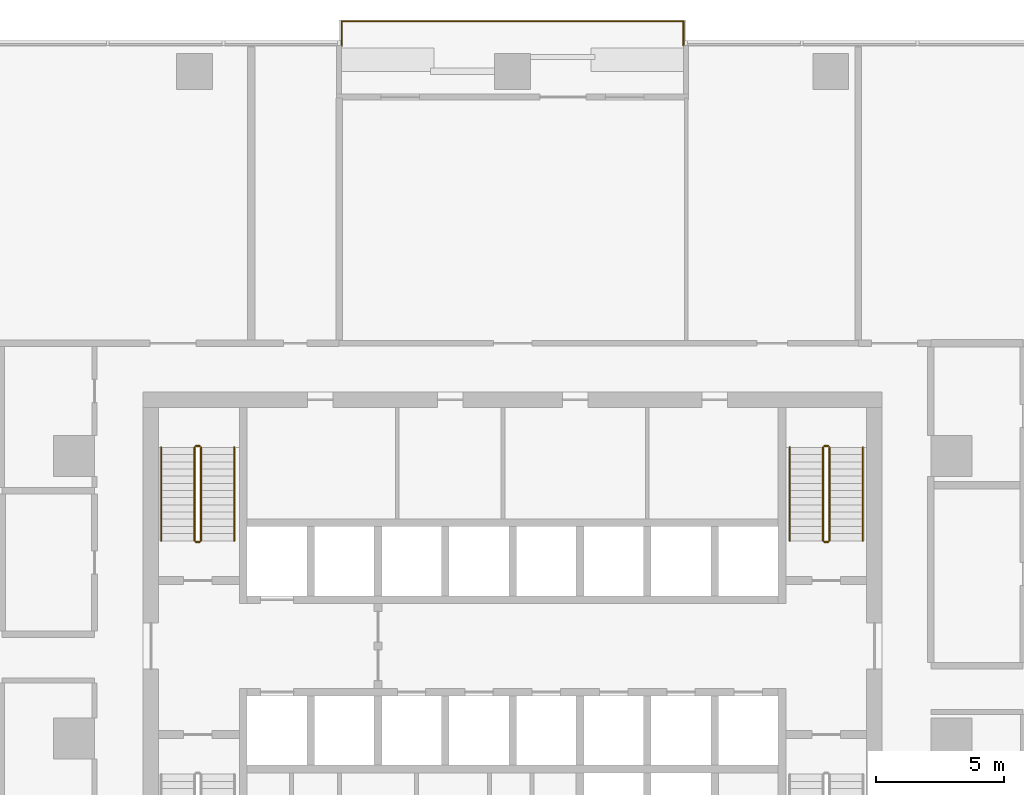
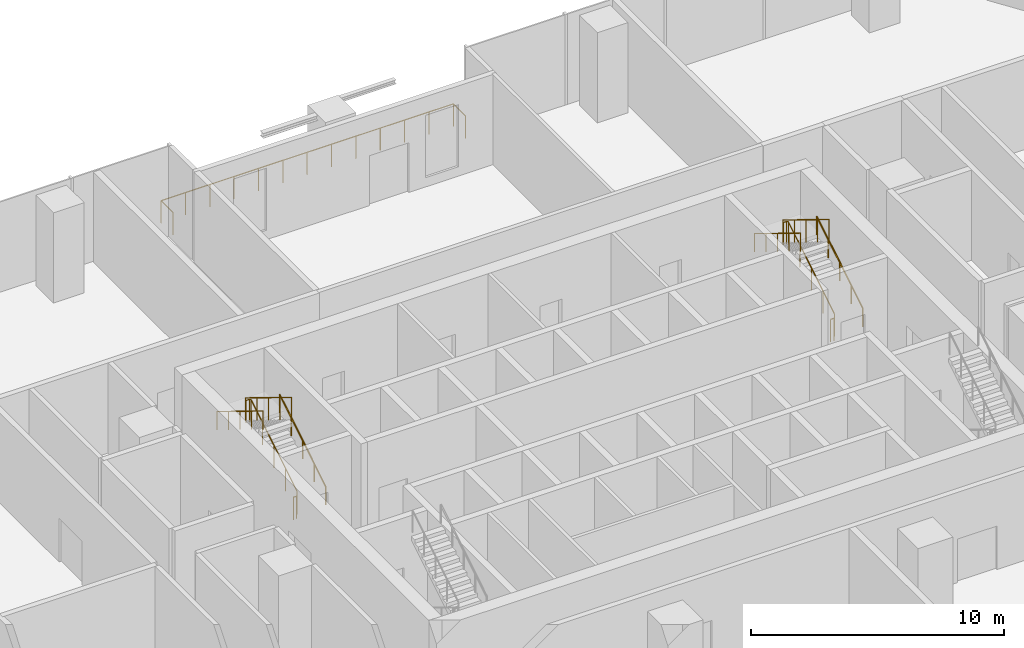
# One storey, part 14 of 14: 11 railings.
"""IFC4 building model written with IfcOpenShell, lengths in metres."""

from ifc_helpers import new_model, si_unit, direction, frame, origin, origin_2d, place, context, subcontext, project, spatial, circle, extrude, material, type_object, element, save


model = new_model("IFC4")

# Units and contexts
model_context = context("Model", 3, precision=1e-05, world=origin(), true_north=direction((0.0, 1.0)))
body_context = subcontext(model_context, "Body", "Model", "MODEL_VIEW")
ifc_project = project(units=[si_unit("LENGTHUNIT", "METRE"), si_unit("AREAUNIT", "SQUARE_METRE"), si_unit("VOLUMEUNIT", "CUBIC_METRE"), si_unit("PLANEANGLEUNIT", "RADIAN"), si_unit("MASSUNIT", "GRAM", prefix="KILO")], contexts=[model_context])

# Site, building, storey
site_placement = place(None, origin())
site = spatial("IfcSite", under=ifc_project, at=site_placement, CompositionType="ELEMENT")
building_placement = place(site_placement, origin())
building = spatial("IfcBuilding", under=site, at=building_placement, Name="Mopane Tessera Tower", CompositionType="ELEMENT")
storey_placement = place(building_placement, frame((0.0, 0.0, 35.800048828125)))
storey = spatial("IfcBuildingStorey", under=building, at=storey_placement, Name="L06", CompositionType="ELEMENT", Elevation=35.800048828125)

# Railings
ifc_material_1 = material(Name="Powder-coated steel balustrade", Category="steel")
railing_type_1 = type_object("IfcRailingType", Name="Escape stair guard 1100 mm", PredefinedType="GUARDRAIL", material=ifc_material_1)
railing_1_placement = place(storey_placement, frame((-12.14990234375, 7.699951171875, 0.17138671875)))
element("IfcRailing", 1, at=railing_1_placement, inside=storey, type_object=railing_type_1, Name="L06 ST2 stair guard 1", PredefinedType="GUARDRAIL", context=body_context, shape_type="SweptSolid", body=[
    extrude(circle(Radius=0.02392578125, at=origin_2d()), frame((0.0, 0.0, 1.076171875), z_axis=(0.0, 0.852865859571, 0.52213008492), x_axis=(-1.0, 0.0, 0.0)), (0.0, 0.0, 1.0), 4.26806640625),
    extrude(circle(Radius=0.02392578125, at=origin_2d()), frame((0.0, 3.64013671875, 3.3046875), z_axis=(-0.708833529934, 0.705375805398, 0.0), x_axis=(-0.705375805398, -0.708833529934, 0.0)), (0.0, 0.0, 1.0), 0.070556640625),
    extrude(circle(Radius=0.02392578125, at=origin_2d()), frame((-0.050048828125, 3.68994140625, 3.3046875), z_axis=(-1.0, 0.0, 0.0), x_axis=(0.0, -1.0, 0.0)), (0.0, 0.0, 1.0), 0.150146484375),
    extrude(circle(Radius=0.02099609375, at=origin_2d()), origin(), (0.0, 0.0, 1.0), 1.052001953125),
    extrude(circle(Radius=0.02099609375, at=origin_2d()), frame((0.0, 0.91015625, 0.55712890625)), (0.0, 0.0, 1.0), 1.052001953125),
    extrude(circle(Radius=0.02099609375, at=origin_2d()), frame((0.0, 1.820068359375, 1.1142578125)), (0.0, 0.0, 1.0), 1.052001953125),
    extrude(circle(Radius=0.02099609375, at=origin_2d()), frame((0.0, 2.72998046875, 1.67138671875)), (0.0, 0.0, 1.0), 1.052001953125),
    extrude(circle(Radius=0.02099609375, at=origin_2d()), frame((0.0, 3.64013671875, 2.228515625)), (0.0, 0.0, 1.0), 1.052001953125),
    extrude(circle(Radius=0.02099609375, at=origin_2d()), frame((-0.050048828125, 3.68994140625, 2.228515625)), (0.0, 0.0, 1.0), 1.052001953125),
    extrude(circle(Radius=0.02099609375, at=origin_2d()), frame((-0.2001953125, 3.68994140625, 2.228515625)), (0.0, 0.0, 1.0), 1.052001953125),
])
railing_2_placement = place(storey_placement, frame((-12.39990234375, 11.340087890625, 2.5712890625)))
element("IfcRailing", 2, at=railing_2_placement, inside=storey, type_object=railing_type_1, Name="L06 ST2 stair guard 2", PredefinedType="GUARDRAIL", context=body_context, shape_type="SweptSolid", body=[
    extrude(circle(Radius=0.02392578125, at=origin_2d()), frame((0.0, 0.0, 1.076171875), z_axis=(0.0, -0.852840387347, 0.522171689878), x_axis=(1.0, 0.0, 0.0)), (0.0, 0.0, 1.0), 4.268310546875),
    extrude(circle(Radius=0.02099609375, at=origin_2d()), origin(), (0.0, 0.0, 1.0), 1.052001953125),
    extrude(circle(Radius=0.02099609375, at=origin_2d()), frame((0.0, -0.91015625, 0.55712890625)), (0.0, 0.0, 1.0), 1.052001953125),
    extrude(circle(Radius=0.02099609375, at=origin_2d()), frame((0.0, -1.820068359375, 1.1142578125)), (0.0, 0.0, 1.0), 1.052001953125),
    extrude(circle(Radius=0.02099609375, at=origin_2d()), frame((0.0, -2.72998046875, 1.671630859375)), (0.0, 0.0, 1.0), 1.052001953125),
    extrude(circle(Radius=0.02099609375, at=origin_2d()), frame((0.0, -3.64013671875, 2.228759765625)), (0.0, 0.0, 1.0), 1.052001953125),
])
railing_3_placement = place(storey_placement, frame((-12.199951171875, 7.64990234375, 0.0)))
element("IfcRailing", 3, at=railing_3_placement, inside=storey, type_object=railing_type_1, Name="L06 ST2 stair guard 3", PredefinedType="GUARDRAIL", context=body_context, shape_type="SweptSolid", body=[
    extrude(circle(Radius=0.02392578125, at=origin_2d()), frame((0.0, 0.0, 1.076171875), z_axis=(-1.0, 0.0, 0.0), x_axis=(0.0, -1.0, 0.0)), (0.0, 0.0, 1.0), 0.150146484375),
    extrude(circle(Radius=0.02099609375, at=origin_2d()), origin(), (0.0, 0.0, 1.0), 1.052001953125),
    extrude(circle(Radius=0.02099609375, at=origin_2d()), frame((-0.150146484375, 0.0, 0.0)), (0.0, 0.0, 1.0), 1.052001953125),
])
railing_4_placement = place(storey_placement, frame((12.35009765625, 7.699951171875, 0.17138671875)))
element("IfcRailing", 4, at=railing_4_placement, inside=storey, type_object=railing_type_1, Name="L06 ST4 stair guard 1", PredefinedType="GUARDRAIL", context=body_context, shape_type="SweptSolid", body=[
    extrude(circle(Radius=0.02392578125, at=origin_2d()), frame((0.0, 0.0, 1.076171875), z_axis=(0.0, 0.852865859571, 0.52213008492), x_axis=(-1.0, 0.0, 0.0)), (0.0, 0.0, 1.0), 4.26806640625),
    extrude(circle(Radius=0.02392578125, at=origin_2d()), frame((0.0, 3.64013671875, 3.3046875), z_axis=(-0.708833529934, 0.705375805398, 0.0), x_axis=(-0.705375805398, -0.708833529934, 0.0)), (0.0, 0.0, 1.0), 0.070556640625),
    extrude(circle(Radius=0.02392578125, at=origin_2d()), frame((-0.050048828125, 3.68994140625, 3.3046875), z_axis=(-1.0, 0.0, 0.0), x_axis=(0.0, -1.0, 0.0)), (0.0, 0.0, 1.0), 0.150146484375),
    extrude(circle(Radius=0.02099609375, at=origin_2d()), origin(), (0.0, 0.0, 1.0), 1.052001953125),
    extrude(circle(Radius=0.02099609375, at=origin_2d()), frame((0.0, 0.91015625, 0.55712890625)), (0.0, 0.0, 1.0), 1.052001953125),
    extrude(circle(Radius=0.02099609375, at=origin_2d()), frame((0.0, 1.820068359375, 1.1142578125)), (0.0, 0.0, 1.0), 1.052001953125),
    extrude(circle(Radius=0.02099609375, at=origin_2d()), frame((0.0, 2.72998046875, 1.67138671875)), (0.0, 0.0, 1.0), 1.052001953125),
    extrude(circle(Radius=0.02099609375, at=origin_2d()), frame((0.0, 3.64013671875, 2.228515625)), (0.0, 0.0, 1.0), 1.052001953125),
    extrude(circle(Radius=0.02099609375, at=origin_2d()), frame((-0.050048828125, 3.68994140625, 2.228515625)), (0.0, 0.0, 1.0), 1.052001953125),
    extrude(circle(Radius=0.02099609375, at=origin_2d()), frame((-0.2001953125, 3.68994140625, 2.228515625)), (0.0, 0.0, 1.0), 1.052001953125),
])
railing_5_placement = place(storey_placement, frame((12.10009765625, 11.340087890625, 2.5712890625)))
element("IfcRailing", 5, at=railing_5_placement, inside=storey, type_object=railing_type_1, Name="L06 ST4 stair guard 2", PredefinedType="GUARDRAIL", context=body_context, shape_type="SweptSolid", body=[
    extrude(circle(Radius=0.02392578125, at=origin_2d()), frame((0.0, 0.0, 1.076171875), z_axis=(0.0, -0.852840387347, 0.522171689878), x_axis=(1.0, 0.0, 0.0)), (0.0, 0.0, 1.0), 4.268310546875),
    extrude(circle(Radius=0.02099609375, at=origin_2d()), origin(), (0.0, 0.0, 1.0), 1.052001953125),
    extrude(circle(Radius=0.02099609375, at=origin_2d()), frame((0.0, -0.91015625, 0.55712890625)), (0.0, 0.0, 1.0), 1.052001953125),
    extrude(circle(Radius=0.02099609375, at=origin_2d()), frame((0.0, -1.820068359375, 1.1142578125)), (0.0, 0.0, 1.0), 1.052001953125),
    extrude(circle(Radius=0.02099609375, at=origin_2d()), frame((0.0, -2.72998046875, 1.671630859375)), (0.0, 0.0, 1.0), 1.052001953125),
    extrude(circle(Radius=0.02099609375, at=origin_2d()), frame((0.0, -3.64013671875, 2.228759765625)), (0.0, 0.0, 1.0), 1.052001953125),
])
railing_6_placement = place(storey_placement, frame((12.300048828125, 7.64990234375, 0.0)))
element("IfcRailing", 6, at=railing_6_placement, inside=storey, type_object=railing_type_1, Name="L06 ST4 stair guard 3", PredefinedType="GUARDRAIL", context=body_context, shape_type="SweptSolid", body=[
    extrude(circle(Radius=0.02392578125, at=origin_2d()), frame((0.0, 0.0, 1.076171875), z_axis=(-1.0, 0.0, 0.0), x_axis=(0.0, -1.0, 0.0)), (0.0, 0.0, 1.0), 0.150146484375),
    extrude(circle(Radius=0.02099609375, at=origin_2d()), origin(), (0.0, 0.0, 1.0), 1.052001953125),
    extrude(circle(Radius=0.02099609375, at=origin_2d()), frame((-0.150146484375, 0.0, 0.0)), (0.0, 0.0, 1.0), 1.052001953125),
])
ifc_material_2 = material(Name="Powder-coated steel balustrade", Category="steel")
railing_type_2 = type_object("IfcRailingType", Name="Escape stair handrail 900 mm", PredefinedType="HANDRAIL", material=ifc_material_2)
railing_7_placement = place(storey_placement, frame((-10.85009765625, 7.699951171875, 0.17138671875)))
element("IfcRailing", 7, at=railing_7_placement, inside=storey, type_object=railing_type_2, Name="L06 ST2 stair handrail 1", PredefinedType="HANDRAIL", context=body_context, shape_type="SweptSolid", body=[
    extrude(circle(Radius=0.02392578125, at=origin_2d()), frame((0.0, 0.0, 0.8759765625), z_axis=(0.0, 0.852865859571, 0.52213008492), x_axis=(-1.0, 0.0, 0.0)), (0.0, 0.0, 1.0), 4.26806640625),
    extrude(circle(Radius=0.02099609375, at=origin_2d()), origin(), (0.0, 0.0, 1.0), 0.851806640625),
    extrude(circle(Radius=0.02099609375, at=origin_2d()), frame((0.0, 0.91015625, 0.55712890625)), (0.0, 0.0, 1.0), 0.851806640625),
    extrude(circle(Radius=0.02099609375, at=origin_2d()), frame((0.0, 1.820068359375, 1.1142578125)), (0.0, 0.0, 1.0), 0.851806640625),
    extrude(circle(Radius=0.02099609375, at=origin_2d()), frame((0.0, 2.72998046875, 1.67138671875)), (0.0, 0.0, 1.0), 0.851806640625),
    extrude(circle(Radius=0.02099609375, at=origin_2d()), frame((0.0, 3.64013671875, 2.228515625)), (0.0, 0.0, 1.0), 0.851806640625),
])
railing_8_placement = place(storey_placement, frame((-13.699951171875, 11.340087890625, 2.5712890625)))
element("IfcRailing", 8, at=railing_8_placement, inside=storey, type_object=railing_type_2, Name="L06 ST2 stair handrail 2", PredefinedType="HANDRAIL", context=body_context, shape_type="SweptSolid", body=[
    extrude(circle(Radius=0.02392578125, at=origin_2d()), frame((0.0, 0.0, 0.8759765625), z_axis=(0.0, -0.852840387347, 0.522171689878), x_axis=(1.0, 0.0, 0.0)), (0.0, 0.0, 1.0), 4.268310546875),
    extrude(circle(Radius=0.02099609375, at=origin_2d()), origin(), (0.0, 0.0, 1.0), 0.851806640625),
    extrude(circle(Radius=0.02099609375, at=origin_2d()), frame((0.0, -0.91015625, 0.55712890625)), (0.0, 0.0, 1.0), 0.851806640625),
    extrude(circle(Radius=0.02099609375, at=origin_2d()), frame((0.0, -1.820068359375, 1.1142578125)), (0.0, 0.0, 1.0), 0.851806640625),
    extrude(circle(Radius=0.02099609375, at=origin_2d()), frame((0.0, -2.72998046875, 1.671630859375)), (0.0, 0.0, 1.0), 0.851806640625),
    extrude(circle(Radius=0.02099609375, at=origin_2d()), frame((0.0, -3.64013671875, 2.228759765625)), (0.0, 0.0, 1.0), 0.851806640625),
])
railing_9_placement = place(storey_placement, frame((13.64990234375, 7.699951171875, 0.17138671875)))
element("IfcRailing", 9, at=railing_9_placement, inside=storey, type_object=railing_type_2, Name="L06 ST4 stair handrail 1", PredefinedType="HANDRAIL", context=body_context, shape_type="SweptSolid", body=[
    extrude(circle(Radius=0.02392578125, at=origin_2d()), frame((0.0, 0.0, 0.8759765625), z_axis=(0.0, 0.852865859571, 0.52213008492), x_axis=(-1.0, 0.0, 0.0)), (0.0, 0.0, 1.0), 4.26806640625),
    extrude(circle(Radius=0.02099609375, at=origin_2d()), origin(), (0.0, 0.0, 1.0), 0.851806640625),
    extrude(circle(Radius=0.02099609375, at=origin_2d()), frame((0.0, 0.91015625, 0.55712890625)), (0.0, 0.0, 1.0), 0.851806640625),
    extrude(circle(Radius=0.02099609375, at=origin_2d()), frame((0.0, 1.820068359375, 1.1142578125)), (0.0, 0.0, 1.0), 0.851806640625),
    extrude(circle(Radius=0.02099609375, at=origin_2d()), frame((0.0, 2.72998046875, 1.67138671875)), (0.0, 0.0, 1.0), 0.851806640625),
    extrude(circle(Radius=0.02099609375, at=origin_2d()), frame((0.0, 3.64013671875, 2.228515625)), (0.0, 0.0, 1.0), 0.851806640625),
])
railing_10_placement = place(storey_placement, frame((10.800048828125, 11.340087890625, 2.5712890625)))
element("IfcRailing", 10, at=railing_10_placement, inside=storey, type_object=railing_type_2, Name="L06 ST4 stair handrail 2", PredefinedType="HANDRAIL", context=body_context, shape_type="SweptSolid", body=[
    extrude(circle(Radius=0.02392578125, at=origin_2d()), frame((0.0, 0.0, 0.8759765625), z_axis=(0.0, -0.852840387347, 0.522171689878), x_axis=(1.0, 0.0, 0.0)), (0.0, 0.0, 1.0), 4.268310546875),
    extrude(circle(Radius=0.02099609375, at=origin_2d()), origin(), (0.0, 0.0, 1.0), 0.851806640625),
    extrude(circle(Radius=0.02099609375, at=origin_2d()), frame((0.0, -0.91015625, 0.55712890625)), (0.0, 0.0, 1.0), 0.851806640625),
    extrude(circle(Radius=0.02099609375, at=origin_2d()), frame((0.0, -1.820068359375, 1.1142578125)), (0.0, 0.0, 1.0), 0.851806640625),
    extrude(circle(Radius=0.02099609375, at=origin_2d()), frame((0.0, -2.72998046875, 1.671630859375)), (0.0, 0.0, 1.0), 0.851806640625),
    extrude(circle(Radius=0.02099609375, at=origin_2d()), frame((0.0, -3.64013671875, 2.228759765625)), (0.0, 0.0, 1.0), 0.851806640625),
])
ifc_material_3 = material(Name="Stainless steel S316", Category="steel")
railing_type_3 = type_object("IfcRailingType", Name="Terrace guard 1100", PredefinedType="GUARDRAIL", material=ifc_material_3)
railing_11_placement = place(storey_placement, frame((6.66357421875, 27.0, 0.0)))
element("IfcRailing", 11, at=railing_11_placement, inside=storey, type_object=railing_type_3, Name="e:nw:L06:N2:guard", PredefinedType="GUARDRAIL", context=body_context, shape_type="SweptSolid", body=[
    extrude(circle(Radius=0.02392578125, at=origin_2d()), frame((0.0, 0.0, 1.076171875), z_axis=(0.0, 1.0, 0.0), x_axis=(-1.0, 0.0, 0.0)), (0.0, 0.0, 1.0), 0.949951171875),
    extrude(circle(Radius=0.02392578125, at=origin_2d()), frame((0.0, 0.949951171875, 1.076171875), z_axis=(-1.0, 0.0, 0.0), x_axis=(0.0, -1.0, 0.0)), (0.0, 0.0, 1.0), 13.3271484375),
    extrude(circle(Radius=0.02392578125, at=origin_2d()), frame((-13.3271484375, 0.949951171875, 1.076171875), z_axis=(0.0, -1.0, 0.0), x_axis=(1.0, 0.0, 0.0)), (0.0, 0.0, 1.0), 0.949951171875),
    extrude(circle(Radius=0.02099609375, at=origin_2d()), origin(), (0.0, 0.0, 1.0), 1.052001953125),
    extrude(circle(Radius=0.02099609375, at=origin_2d()), frame((0.0, 0.949951171875, 0.0)), (0.0, 0.0, 1.0), 1.052001953125),
    extrude(circle(Radius=0.02099609375, at=origin_2d()), frame((-1.110595703125, 0.949951171875, 0.0)), (0.0, 0.0, 1.0), 1.052001953125),
    extrude(circle(Radius=0.02099609375, at=origin_2d()), frame((-2.22119140625, 0.949951171875, 0.0)), (0.0, 0.0, 1.0), 1.052001953125),
    extrude(circle(Radius=0.02099609375, at=origin_2d()), frame((-3.331787109375, 0.949951171875, 0.0)), (0.0, 0.0, 1.0), 1.052001953125),
    extrude(circle(Radius=0.02099609375, at=origin_2d()), frame((-4.4423828125, 0.949951171875, 0.0)), (0.0, 0.0, 1.0), 1.052001953125),
    extrude(circle(Radius=0.02099609375, at=origin_2d()), frame((-5.552978515625, 0.949951171875, 0.0)), (0.0, 0.0, 1.0), 1.052001953125),
    extrude(circle(Radius=0.02099609375, at=origin_2d()), frame((-6.66357421875, 0.949951171875, 0.0)), (0.0, 0.0, 1.0), 1.052001953125),
    extrude(circle(Radius=0.02099609375, at=origin_2d()), frame((-7.774169921875, 0.949951171875, 0.0)), (0.0, 0.0, 1.0), 1.052001953125),
    extrude(circle(Radius=0.02099609375, at=origin_2d()), frame((-8.884765625, 0.949951171875, 0.0)), (0.0, 0.0, 1.0), 1.052001953125),
    extrude(circle(Radius=0.02099609375, at=origin_2d()), frame((-9.995361328125, 0.949951171875, 0.0)), (0.0, 0.0, 1.0), 1.052001953125),
    extrude(circle(Radius=0.02099609375, at=origin_2d()), frame((-11.10595703125, 0.949951171875, 0.0)), (0.0, 0.0, 1.0), 1.052001953125),
    extrude(circle(Radius=0.02099609375, at=origin_2d()), frame((-12.216552734375, 0.949951171875, 0.0)), (0.0, 0.0, 1.0), 1.052001953125),
    extrude(circle(Radius=0.02099609375, at=origin_2d()), frame((-13.3271484375, 0.949951171875, 0.0)), (0.0, 0.0, 1.0), 1.052001953125),
    extrude(circle(Radius=0.02099609375, at=origin_2d()), frame((-13.3271484375, 0.0, 0.0)), (0.0, 0.0, 1.0), 1.052001953125),
])

save(model, "model.ifc")
